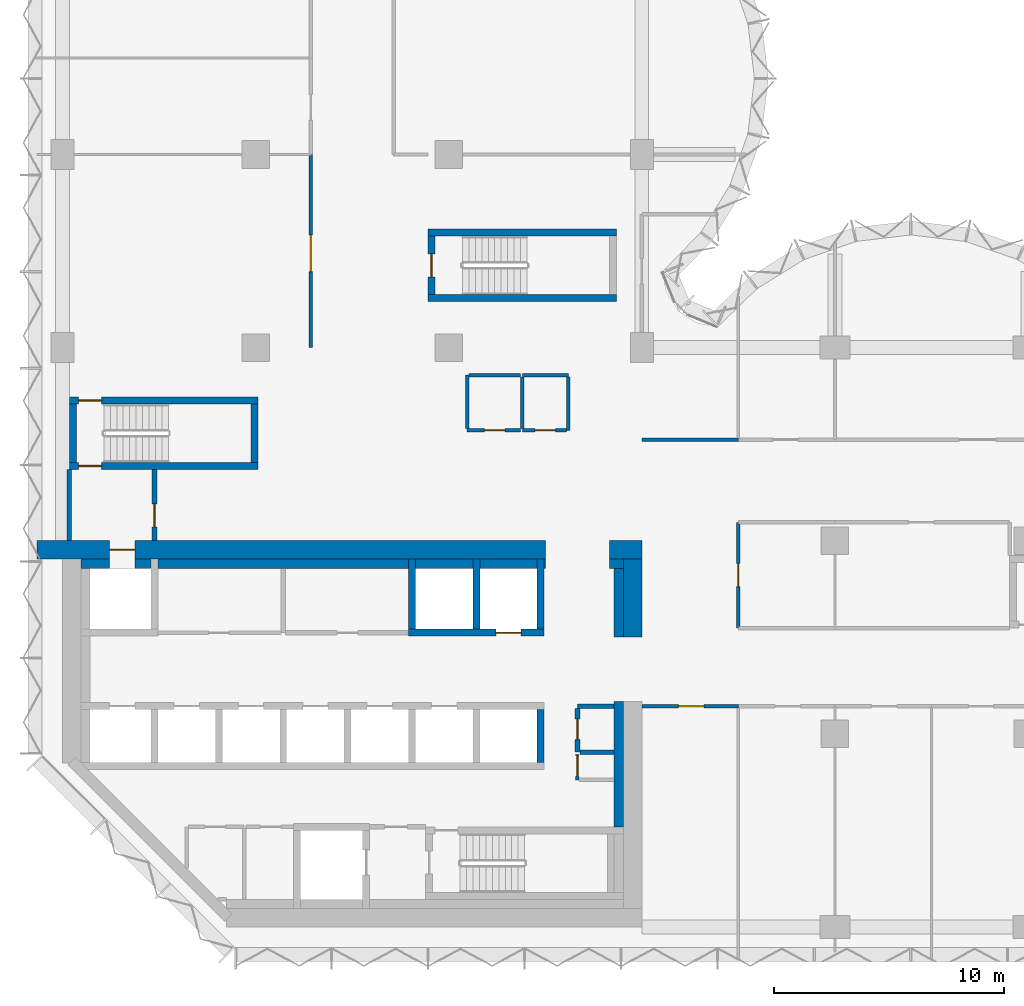
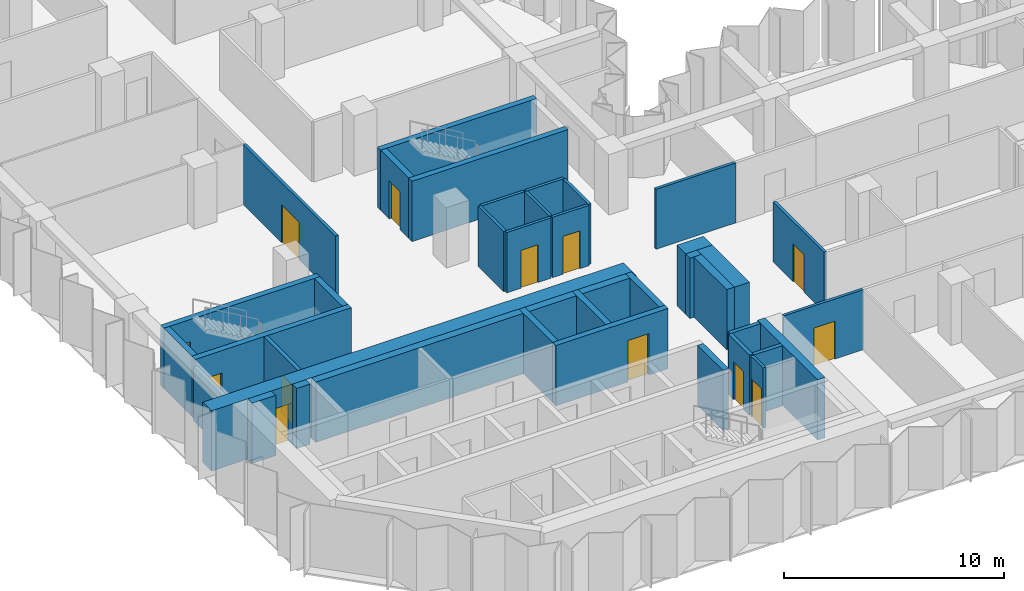
# One storey, part 8 of 13: 41 walls, 13 doors, 13 openings.
"""IFC4 building model written with IfcOpenShell, lengths in metres."""

import ifcopenshell
import ifcopenshell.guid

model = None  # the IFC model being written
_history = None  # IfcOwnerHistory: only IFC2X3 demands one
_inside = {}  # id of a spatial element -> (the spatial element, [elements in it])
_under = {}  # id of a project, library or spatial element -> (it, [spatial elements below it])
_declared = {}  # id of a project -> (the project, [libraries it declares])
_typed = {}  # id of a type object -> (the type object, [elements of that type])
_made_of = {}  # id of a material, layer set ... -> (it, [elements and type objects made of it])


def new_model(schema):
    """Start an empty IFC model of exactly this schema.

    Asked for "IFC4X3", IfcOpenShell would pick the latest addendum, in which some entities
    have other attributes; the version numbers below select the first issue.
    IFC2X3 requires an IfcOwnerHistory on every rooted entity: one is made here for all.
    """
    global model, _history
    if schema == "IFC4X3":
        model = ifcopenshell.file(schema_version=(4, 3, 0, 0))
    else:
        model = ifcopenshell.file(schema=schema)
    _inside.clear()
    _under.clear()
    _declared.clear()
    _typed.clear()
    _made_of.clear()
    _history = None
    if model.schema == "IFC2X3":
        org = make("IfcOrganization", Name="unknown")
        user = make(
            "IfcPersonAndOrganization",
            ThePerson=make("IfcPerson", FamilyName="unknown"),
            TheOrganization=org,
        )
        app = make(
            "IfcApplication",
            ApplicationDeveloper=org,
            Version="unknown",
            ApplicationFullName="unknown",
            ApplicationIdentifier="unknown",
        )
        _history = make(
            "IfcOwnerHistory",
            OwningUser=user,
            OwningApplication=app,
            ChangeAction="ADDED",
            CreationDate=0,
        )
    return model


def make(cls, **values):
    """One entity of the class cls with the attributes given. An attribute that is None is left unset."""
    return model.create_entity(
        cls, **{name: value for name, value in values.items() if value is not None}
    )


def rooted(cls, **values):
    """An entity with a GlobalId (a new one), such as an element, a storey or a relation."""
    return make(cls, GlobalId=ifcopenshell.guid.new(), OwnerHistory=_history, **values)


def si_unit(unit_type, name, prefix=None):
    """IfcSIUnit, for example si_unit("LENGTHUNIT", "METRE", prefix="MILLI")."""
    return make("IfcSIUnit", UnitType=unit_type, Prefix=prefix, Name=name)


def assignment(units):
    """IfcUnitAssignment: the units of a project."""
    return None if units is None else make("IfcUnitAssignment", Units=units)


def point(xyz):
    """IfcCartesianPoint."""
    return None if xyz is None else make("IfcCartesianPoint", Coordinates=xyz)


def direction(xyz):
    """IfcDirection."""
    return None if xyz is None else make("IfcDirection", DirectionRatios=xyz)


def frame(location, z_axis=None, x_axis=None):
    """IfcAxis2Placement3D, a coordinate frame: its origin and axes. An axis left out is left unset."""
    return make(
        "IfcAxis2Placement3D",
        Location=point(location),
        Axis=direction(z_axis),
        RefDirection=direction(x_axis),
    )


def frame_2d(location, x_axis=None):
    """IfcAxis2Placement2D, a coordinate frame in the plane: its origin and x axis."""
    return make(
        "IfcAxis2Placement2D", Location=point(location), RefDirection=direction(x_axis)
    )


def origin():
    """The frame at (0, 0, 0) with its axes left unset."""
    return frame((0.0, 0.0, 0.0))


def place(relative_to, where):
    """IfcLocalPlacement: puts the frame where relative to a parent placement (None: the world)."""
    return make(
        "IfcLocalPlacement", PlacementRelTo=relative_to, RelativePlacement=where
    )


def context(
    kind, dimensions, precision=None, world=None, true_north=None, identifier=None
):
    """IfcGeometricRepresentationContext, for example the 3D "Model" context."""
    return make(
        "IfcGeometricRepresentationContext",
        ContextIdentifier=identifier,
        ContextType=kind,
        CoordinateSpaceDimension=dimensions,
        Precision=precision,
        WorldCoordinateSystem=world,
        TrueNorth=true_north,
    )


def subcontext(parent, identifier, kind, view, scale=None):
    """IfcGeometricRepresentationSubContext, for example "Body" below "Model"."""
    return make(
        "IfcGeometricRepresentationSubContext",
        ContextIdentifier=identifier,
        ContextType=kind,
        ParentContext=parent,
        TargetScale=scale,
        TargetView=view,
    )


def project(units=None, contexts=None):
    """IfcProject with its units and contexts."""
    return rooted(
        "IfcProject",
        Name="project",
        RepresentationContexts=contexts,
        UnitsInContext=assignment(units),
    )


def spatial(cls, under=None, at=None, **own):
    """A site, building, storey or space (cls), placed at a placement, below another one or the project."""
    s = rooted(cls, ObjectPlacement=at, **own)
    if under is not None:
        _under.setdefault(under.id(), (under, []))[1].append(s)
    return s


def profile(cls, at=None, kind="AREA", **sizes):
    """A parametric profile (cls). Its sizes go by their IFC names, for example OverallWidth=200.0."""
    return make(cls, ProfileType=kind, Position=at, **sizes)


def rectangle(**sizes):
    """IfcRectangleProfileDef."""
    return profile("IfcRectangleProfileDef", **sizes)


def extrude(swept, where, along, depth):
    """IfcExtrudedAreaSolid: the profile swept, set in the frame where, extruded along a direction by depth."""
    return make(
        "IfcExtrudedAreaSolid",
        SweptArea=swept,
        Position=where,
        ExtrudedDirection=direction(along),
        Depth=depth,
    )


def shape(context_of_items, identifier, shape_type, items):
    """IfcShapeRepresentation: the items that make up one representation, for example the "Body"."""
    return make(
        "IfcShapeRepresentation",
        ContextOfItems=context_of_items,
        RepresentationIdentifier=identifier,
        RepresentationType=shape_type,
        Items=items,
    )


def material(Name=None, Category=None):
    """IfcMaterial."""
    return make("IfcMaterial", Name=Name, Category=Category)


def layer(
    of_material, thickness, ventilated=None, Name=None, Category=None, Priority=None
):
    """IfcMaterialLayer: one layer of a wall or slab, of a material (None: an air gap)."""
    return make(
        "IfcMaterialLayer",
        Material=of_material,
        LayerThickness=thickness,
        IsVentilated=ventilated,
        Name=Name,
        Category=Category,
        Priority=Priority,
    )


def layer_set(layers, Name=None):
    """IfcMaterialLayerSet."""
    return make("IfcMaterialLayerSet", MaterialLayers=layers, LayerSetName=Name)


def made_of(thing, what):
    """Note that an element or type object is made of a material, layer set ...; save() writes the relation."""
    if what is not None:
        _made_of.setdefault(what.id(), (what, []))[1].append(thing)
    return thing


def type_object(cls, material=None, **own):
    """A type object (cls), such as IfcWallType, which elements share."""
    return made_of(rooted(cls, **own), material)


def element(
    cls,
    number,
    at=None,
    inside=None,
    cuts=None,
    type_object=None,
    material=None,
    context=None,
    identifier="Body",
    shape_type=None,
    held_by="IfcProductDefinitionShape",
    body=None,
    shapes=None,
    **own,
):
    """One element of the class cls, such as IfcWall. Its Tag is "e" and its number.

    at: its placement. inside: the storey or other place that contains it. cuts: it is an
    opening in that element (IfcRelVoidsElement). A single representation is given by context,
    identifier, shape_type and body (its items); several are given by shapes. held_by: the class
    of the entity that holds the representations. save() writes the other relations.
    """
    e = rooted(cls, Tag="e%d" % number, ObjectPlacement=at, **own)
    if body is not None:
        shapes = [shape(context, identifier, shape_type, body)]
    if shapes is not None:
        e.Representation = make(held_by, Representations=shapes)
    if inside is not None:
        _inside.setdefault(inside.id(), (inside, []))[1].append(e)
    if cuts is not None:
        rooted(
            "IfcRelVoidsElement", RelatingBuildingElement=cuts, RelatedOpeningElement=e
        )
    if type_object is not None:
        _typed.setdefault(type_object.id(), (type_object, []))[1].append(e)
    return made_of(e, material)


def fill(opening, filler):
    """IfcRelFillsElement: the door or window that sits in an opening."""
    return rooted(
        "IfcRelFillsElement",
        RelatingOpeningElement=opening,
        RelatedBuildingElement=filler,
    )


def aggregate(whole, parts):
    """IfcRelAggregates: a whole, such as a stair, and the parts it consists of."""
    return rooted("IfcRelAggregates", RelatingObject=whole, RelatedObjects=parts)


def save(model, path):
    """Write the relations noted so far, then the file.

    IfcRelAggregates (storeys below a building ...), IfcRelContainedInSpatialStructure (elements
    in a storey), IfcRelDefinesByType, IfcRelAssociatesMaterial and IfcRelDeclares: one each for
    every whole, place, type object, material and project.
    """
    for whole, parts in _under.values():
        aggregate(whole, parts)
    for where, things in _inside.values():
        rooted(
            "IfcRelContainedInSpatialStructure",
            RelatedElements=things,
            RelatingStructure=where,
        )
    for kind, things in _typed.values():
        rooted("IfcRelDefinesByType", RelatedObjects=things, RelatingType=kind)
    for what, things in _made_of.values():
        rooted("IfcRelAssociatesMaterial", RelatedObjects=things, RelatingMaterial=what)
    for by, libraries in _declared.values():
        rooted("IfcRelDeclares", RelatingContext=by, RelatedDefinitions=libraries)
    model.write(path)


model = new_model("IFC4")

# Units and contexts
model_context = context("Model", 3, precision=1e-05, world=origin(), true_north=direction((0.0, 1.0)))
body_context = subcontext(model_context, "Body", "Model", "MODEL_VIEW")
ifc_project = project(units=[si_unit("LENGTHUNIT", "METRE"), si_unit("AREAUNIT", "SQUARE_METRE"), si_unit("VOLUMEUNIT", "CUBIC_METRE"), si_unit("PLANEANGLEUNIT", "RADIAN"), si_unit("MASSUNIT", "GRAM", prefix="KILO")], contexts=[model_context])

# Site, building, storey
site_placement = place(None, origin())
site = spatial("IfcSite", under=ifc_project, at=site_placement, CompositionType="ELEMENT")
building_placement = place(site_placement, origin())
building = spatial("IfcBuilding", under=site, at=building_placement, Name="Brevane Broadcast Tower", CompositionType="ELEMENT")
storey_placement = place(building_placement, frame((0.0, 0.0, 124.10009765625)))
storey = spatial("IfcBuildingStorey", under=building, at=storey_placement, Name="L30", CompositionType="ELEMENT", Elevation=124.10009765625)

# Walls
ifc_material_1 = material(Name="Concrete C32/40", Category="concrete")
ifc_layer_1 = layer(ifc_material_1, 0.39990234375)
ifc_layer_set_1 = layer_set([ifc_layer_1], Name="Core chase wall 400 mm")
wall_type_1 = type_object("IfcWallType", Name="Core chase wall 400 mm", PredefinedType="PARTITIONING", material=ifc_layer_set_1)
wall_1_placement = place(storey_placement, frame((24.199951171875, 12.60009765625, 0.0), z_axis=(0.0, 0.0, 1.0), x_axis=(0.0, 1.0, 0.0)))
element("IfcWall", 1, at=wall_1_placement, inside=storey, type_object=wall_type_1, Name="L30 chase wall LE2", PredefinedType="PARTITIONING", context=body_context, shape_type="SweptSolid", body=[
    extrude(rectangle(XDim=3.0, YDim=0.39990234375, at=frame_2d((1.5, 0.0))), origin(), (0.0, 0.0, 1.0), 3.349853515625),
])
wall_2_placement = place(storey_placement, frame((0.800048828125, 15.800048828125, 0.0), z_axis=(0.0, 0.0, 1.0), x_axis=(1.0, 0.0, 0.0)))
element("IfcWall", 2, at=wall_2_placement, inside=storey, type_object=wall_type_1, Name="L30 chase wall LN0", PredefinedType="PARTITIONING", context=body_context, shape_type="SweptSolid", body=[
    extrude(rectangle(XDim=1.25, YDim=0.39990234375, at=frame_2d((0.625, 0.0))), origin(), (0.0, 0.0, 1.0), 3.349853515625),
])
wall_3_placement = place(storey_placement, frame((23.800048828125, 15.800048828125, 0.0), z_axis=(0.0, 0.0, 1.0), x_axis=(1.0, 0.0, 0.0)))
element("IfcWall", 3, at=wall_3_placement, inside=storey, type_object=wall_type_1, Name="L30 chase wall LN2", PredefinedType="PARTITIONING", context=body_context, shape_type="SweptSolid", body=[
    extrude(rectangle(XDim=0.599853515625, YDim=0.39990234375, at=frame_2d((0.2998046875, 0.0))), origin(), (0.0, 0.0, 1.0), 3.349853515625),
])
wall_4_placement = place(storey_placement, frame((3.14990234375, 15.800048828125, 0.0), z_axis=(0.0, 0.0, 1.0), x_axis=(1.0, 0.0, 0.0)))
element("IfcWall", 4, at=wall_4_placement, inside=storey, type_object=wall_type_1, Name="L30 chase wall LN1-1", PredefinedType="PARTITIONING", context=body_context, shape_type="SweptSolid", body=[
    extrude(rectangle(XDim=0.7001953125, YDim=0.39990234375, at=frame_2d((0.35009765625, 0.0))), origin(), (0.0, 0.0, 1.0), 3.349853515625),
])
wall_5_placement = place(storey_placement, frame((4.14990234375, 15.800048828125, 0.0), z_axis=(0.0, 0.0, 1.0), x_axis=(1.0, 0.0, 0.0)))
element("IfcWall", 5, at=wall_5_placement, inside=storey, type_object=wall_type_1, Name="L30 chase wall LN1-2-1", PredefinedType="PARTITIONING", context=body_context, shape_type="SweptSolid", body=[
    extrude(rectangle(XDim=10.900146484375, YDim=0.39990234375, at=frame_2d((5.4501953125, 0.0))), origin(), (0.0, 0.0, 1.0), 3.349853515625),
])
for number, where, z_axis, x_axis, name in (
    (6, (15.35009765625, 15.800048828125, 0.0), (0.0, 0.0, 1.0), (1.0, 0.0, 0.0), "L30 chase wall LN1-2-2-1"),
    (7, (18.14990234375, 15.800048828125, 0.0), (0.0, 0.0, 1.0), (1.0, 0.0, 0.0), "L30 chase wall LN1-2-2-2-1"),
):
    element("IfcWall", number, at=place(storey_placement, frame(where, z_axis=z_axis, x_axis=x_axis)), inside=storey, type_object=wall_type_1, Name=name, PredefinedType="PARTITIONING", context=body_context, shape_type="SweptSolid", body=[
        extrude(rectangle(XDim=2.5, YDim=0.39990234375, at=frame_2d((1.25, 0.0))), origin(), (0.0, 0.0, 1.0), 3.349853515625),
    ])
wall_6_placement = place(storey_placement, frame((20.949951171875, 15.800048828125, 0.0), z_axis=(0.0, 0.0, 1.0), x_axis=(1.0, 0.0, 0.0)))
element("IfcWall", 8, at=wall_6_placement, inside=storey, type_object=wall_type_1, Name="L30 chase wall LN1-2-2-2-2", PredefinedType="PARTITIONING", context=body_context, shape_type="SweptSolid", body=[
    extrude(rectangle(XDim=0.050048828125, YDim=0.39990234375, at=frame_2d((0.02490234375, 0.0))), origin(), (0.0, 0.0, 1.0), 3.349853515625),
])
wall_7_placement = place(storey_placement, frame((24.199951171875, 4.35009765625, 0.0), z_axis=(0.0, 0.0, 1.0), x_axis=(0.0, 1.0, 0.0)))
element("IfcWall", 9, at=wall_7_placement, inside=storey, type_object=wall_type_1, Name="L30 chase wall LE1-2-2", PredefinedType="PARTITIONING", context=body_context, shape_type="SweptSolid", body=[
    extrude(rectangle(XDim=5.449951171875, YDim=0.39990234375, at=frame_2d((2.72509765625, 0.0))), origin(), (0.0, 0.0, 1.0), 3.349853515625),
])
ifc_material_2 = material(Name="Gypsum board on steel studs", Category="steel")
ifc_layer_2 = layer(ifc_material_2, 0.14990234375)
ifc_layer_set_2 = layer_set([ifc_layer_2], Name="Core fire partition 150 mm")
wall_type_2 = type_object("IfcWallType", Name="Core fire partition 150 mm", PredefinedType="PARTITIONING", material=ifc_layer_set_2)
wall_8_placement = place(storey_placement, frame((20.0, 24.0, 0.0), z_axis=(0.0, 0.0, 1.0), x_axis=(1.0, 0.0, 0.0)))
element("IfcWall", 10, at=wall_8_placement, inside=storey, type_object=wall_type_2, Name="L30 partition wall P15", PredefinedType="PARTITIONING", context=body_context, shape_type="SweptSolid", body=[
    extrude(rectangle(XDim=2.0, YDim=0.14990234375, at=frame_2d((1.0, 0.0))), origin(), (0.0, 0.0, 1.0), 3.349853515625),
])
wall_9_placement = place(storey_placement, frame((22.0, 23.925048828125, 0.0), z_axis=(0.0, 0.0, 1.0), x_axis=(0.0, -1.0, 0.0)))
element("IfcWall", 11, at=wall_9_placement, inside=storey, type_object=wall_type_2, Name="L30 partition wall P16", PredefinedType="PARTITIONING", context=body_context, shape_type="SweptSolid", body=[
    extrude(rectangle(XDim=2.324951171875, YDim=0.14990234375, at=frame_2d((1.16259765625, 0.0))), origin(), (0.0, 0.0, 1.0), 3.349853515625),
])

# Wall, opening, door
wall_10_placement = place(storey_placement, frame((21.925048828125, 21.60009765625, 0.0), z_axis=(0.0, 0.0, 1.0), x_axis=(-1.0, 0.0, 0.0)))
wall_10 = element("IfcWall", 12, at=wall_10_placement, inside=storey, type_object=wall_type_2, Name="L30 partition wall P17", PredefinedType="PARTITIONING", context=body_context, shape_type="SweptSolid", body=[
    extrude(rectangle(XDim=1.925048828125, YDim=0.14990234375, at=frame_2d((0.96240234375, 0.0))), origin(), (0.0, 0.0, 1.0), 3.349853515625),
])
opening_1_placement = place(wall_10_placement, frame((0.47509765625, 0.0, 0.0)))
opening_1 = element("IfcOpeningElement", 13, at=opening_1_placement, cuts=wall_10, Name="Opening L30-K24", PredefinedType="OPENING", context=body_context, shape_type="SweptSolid", body=[
    extrude(rectangle(XDim=0.89990234375, YDim=2.10009765625, at=frame_2d((0.449951171875, 1.050048828125))), frame((0.0, 0.0849609375, 0.0), z_axis=(0.0, -1.0, 0.0), x_axis=(1.0, 0.0, 0.0)), (0.0, 0.0, 1.0), 0.169921875),
])
ifc_material_3 = material(Name="Timber", Category="wood")
door_type_1 = type_object("IfcDoorType", Name="Toilet door 900 x 2100", OperationType="SINGLE_SWING_LEFT", PredefinedType="DOOR", material=ifc_material_3)
door_1_placement = place(opening_1_placement, origin())
door_1 = element("IfcDoor", 14, at=door_1_placement, inside=storey, type_object=door_type_1, Name="Door L30-K24", OperationType="SINGLE_SWING_LEFT", OverallHeight=2.10009765625, OverallWidth=0.89990234375, PredefinedType="DOOR", context=body_context, shape_type="SweptSolid", body=[
    extrude(rectangle(XDim=0.89990234375, YDim=2.10009765625, at=frame_2d((0.449951171875, 1.050048828125))), frame((0.0, 0.02490234375, 0.0), z_axis=(0.0, -1.0, 0.0), x_axis=(1.0, 0.0, 0.0)), (0.0, 0.0, 1.0), 0.050048828125),
])
fill(opening_1, door_1)

# Wall
wall_11_placement = place(storey_placement, frame((20.0, 21.675048828125, 0.0), z_axis=(0.0, 0.0, 1.0), x_axis=(0.0, 1.0, 0.0)))
element("IfcWall", 15, at=wall_11_placement, inside=storey, type_object=wall_type_2, Name="L30 partition wall P18", PredefinedType="PARTITIONING", context=body_context, shape_type="SweptSolid", body=[
    extrude(rectangle(XDim=2.25, YDim=0.14990234375, at=frame_2d((1.125, 0.0))), origin(), (0.0, 0.0, 1.0), 3.349853515625),
])

# Wall, opening, door
wall_12_placement = place(storey_placement, frame((19.925048828125, 21.60009765625, 0.0), z_axis=(0.0, 0.0, 1.0), x_axis=(-1.0, 0.0, 0.0)))
wall_12 = element("IfcWall", 16, at=wall_12_placement, inside=storey, type_object=wall_type_2, Name="L30 partition wall P19", PredefinedType="PARTITIONING", context=body_context, shape_type="SweptSolid", body=[
    extrude(rectangle(XDim=2.324951171875, YDim=0.14990234375, at=frame_2d((1.16259765625, 0.0))), origin(), (0.0, 0.0, 1.0), 3.349853515625),
])
opening_2_placement = place(wall_12_placement, frame((0.675048828125, 0.0, 0.0)))
opening_2 = element("IfcOpeningElement", 17, at=opening_2_placement, cuts=wall_12, Name="Opening L30-K25", PredefinedType="OPENING", context=body_context, shape_type="SweptSolid", body=[
    extrude(rectangle(XDim=0.89990234375, YDim=2.10009765625, at=frame_2d((0.449951171875, 1.050048828125))), frame((0.0, 0.0849609375, 0.0), z_axis=(0.0, -1.0, 0.0), x_axis=(1.0, 0.0, 0.0)), (0.0, 0.0, 1.0), 0.169921875),
])
ifc_material_4 = material(Name="Steel", Category="steel")
door_type_2 = type_object("IfcDoorType", Name="Service room door 900 x 2100", OperationType="SINGLE_SWING_LEFT", PredefinedType="DOOR", material=ifc_material_4)
door_2_placement = place(opening_2_placement, origin())
door_2 = element("IfcDoor", 18, at=door_2_placement, inside=storey, type_object=door_type_2, Name="Door L30-K25", OperationType="SINGLE_SWING_RIGHT", OverallHeight=2.10009765625, OverallWidth=0.89990234375, PredefinedType="DOOR", context=body_context, shape_type="SweptSolid", body=[
    extrude(rectangle(XDim=0.89990234375, YDim=2.10009765625, at=frame_2d((0.449951171875, 1.050048828125))), frame((0.0, 0.02490234375, 0.0), z_axis=(0.0, -1.0, 0.0), x_axis=(1.0, 0.0, 0.0)), (0.0, 0.0, 1.0), 0.050048828125),
])
fill(opening_2, door_2)

# Walls
wall_13_placement = place(storey_placement, frame((17.60009765625, 21.675048828125, 0.0), z_axis=(0.0, 0.0, 1.0), x_axis=(0.0, 1.0, 0.0)))
element("IfcWall", 19, at=wall_13_placement, inside=storey, type_object=wall_type_2, Name="L30 partition wall P20", PredefinedType="PARTITIONING", context=body_context, shape_type="SweptSolid", body=[
    extrude(rectangle(XDim=2.324951171875, YDim=0.14990234375, at=frame_2d((1.16259765625, 0.0))), origin(), (0.0, 0.0, 1.0), 3.349853515625),
])
wall_14_placement = place(storey_placement, frame((17.675048828125, 24.0, 0.0), z_axis=(0.0, 0.0, 1.0), x_axis=(1.0, 0.0, 0.0)))
element("IfcWall", 20, at=wall_14_placement, inside=storey, type_object=wall_type_2, Name="L30 partition wall P21", PredefinedType="PARTITIONING", context=body_context, shape_type="SweptSolid", body=[
    extrude(rectangle(XDim=2.25, YDim=0.14990234375, at=frame_2d((1.125, 0.0))), origin(), (0.0, 0.0, 1.0), 3.349853515625),
])

# Wall, opening, door
wall_15_placement = place(storey_placement, frame((22.39990234375, 7.5, 0.0), z_axis=(0.0, 0.0, 1.0), x_axis=(0.0, -1.0, 0.0)))
wall_15 = element("IfcWall", 21, at=wall_15_placement, inside=storey, type_object=wall_type_2, Name="L30 partition wall P22", PredefinedType="PARTITIONING", context=body_context, shape_type="SweptSolid", body=[
    extrude(rectangle(XDim=1.10009765625, YDim=0.14990234375, at=frame_2d((0.550048828125, 0.0))), origin(), (0.0, 0.0, 1.0), 3.349853515625),
])
opening_3_placement = place(wall_15_placement, frame((0.050048828125, 0.0, 0.0)))
opening_3 = element("IfcOpeningElement", 22, at=opening_3_placement, cuts=wall_15, Name="Opening L30-K19", PredefinedType="OPENING", context=body_context, shape_type="SweptSolid", body=[
    extrude(rectangle(XDim=0.89990234375, YDim=2.10009765625, at=frame_2d((0.449951171875, 1.050048828125))), frame((0.0, 0.0849609375, 0.0), z_axis=(0.0, -1.0, 0.0), x_axis=(1.0, 0.0, 0.0)), (0.0, 0.0, 1.0), 0.169921875),
])
door_3_placement = place(opening_3_placement, origin())
door_3 = element("IfcDoor", 23, at=door_3_placement, inside=storey, type_object=door_type_2, Name="Door L30-K19", OperationType="SINGLE_SWING_RIGHT", OverallHeight=2.10009765625, OverallWidth=0.89990234375, PredefinedType="DOOR", context=body_context, shape_type="SweptSolid", body=[
    extrude(rectangle(XDim=0.89990234375, YDim=2.10009765625, at=frame_2d((0.449951171875, 1.050048828125))), frame((0.0, 0.02490234375, 0.0), z_axis=(0.0, -1.0, 0.0), x_axis=(1.0, 0.0, 0.0)), (0.0, 0.0, 1.0), 0.050048828125),
])
fill(opening_3, door_3)

# Wall
ifc_layer_3 = layer(ifc_material_2, 0.199951171875)
ifc_layer_set_3 = layer_set([ifc_layer_3], Name="Core fire partition 200 mm")
wall_type_3 = type_object("IfcWallType", Name="Core fire partition 200 mm", PredefinedType="PARTITIONING", material=ifc_layer_set_3)
wall_16_placement = place(storey_placement, frame((0.300048828125, 16.81201171875, 0.0), z_axis=(0.0, 0.0, 1.0), x_axis=(0.0, 1.0, 0.0)))
element("IfcWall", 24, at=wall_16_placement, inside=storey, type_object=wall_type_3, Name="L30 partition wall P01", PredefinedType="PARTITIONING", context=body_context, shape_type="SweptSolid", body=[
    extrude(rectangle(XDim=3.075927734375, YDim=0.199951171875, at=frame_2d((1.5380859375, 0.0))), origin(), (0.0, 0.0, 1.0), 2.97998046875),
])

# Wall, opening, door
wall_17_placement = place(storey_placement, frame((4.0, 19.887939453125, 0.0), z_axis=(0.0, 0.0, 1.0), x_axis=(0.0, -1.0, 0.0)))
wall_17 = element("IfcWall", 25, at=wall_17_placement, inside=storey, type_object=wall_type_3, Name="L30 partition wall P02", PredefinedType="PARTITIONING", context=body_context, shape_type="SweptSolid", body=[
    extrude(rectangle(XDim=3.075927734375, YDim=0.199951171875, at=frame_2d((1.5380859375, 0.0))), origin(), (0.0, 0.0, 1.0), 3.349853515625),
])
opening_4_placement = place(wall_17_placement, frame((1.488037109375, 0.0, 0.0)))
opening_4 = element("IfcOpeningElement", 26, at=opening_4_placement, cuts=wall_17, Name="Opening L30-K23", PredefinedType="OPENING", context=body_context, shape_type="SweptSolid", body=[
    extrude(rectangle(XDim=1.0, YDim=2.10009765625, at=frame_2d((0.5, 1.050048828125))), frame((0.0, 0.10986328125, 0.0), z_axis=(0.0, -1.0, 0.0), x_axis=(1.0, 0.0, 0.0)), (0.0, 0.0, 1.0), 0.219970703125),
])
door_type_3 = type_object("IfcDoorType", Name="Stair door 1000 x 2100", OperationType="SINGLE_SWING_LEFT", PredefinedType="DOOR", material=ifc_material_4)
door_4_placement = place(opening_4_placement, origin())
door_4 = element("IfcDoor", 27, at=door_4_placement, inside=storey, type_object=door_type_3, Name="Door L30-K23", OperationType="SINGLE_SWING_RIGHT", OverallHeight=2.10009765625, OverallWidth=1.0, PredefinedType="DOOR", context=body_context, shape_type="SweptSolid", body=[
    extrude(rectangle(XDim=1.0, YDim=2.10009765625, at=frame_2d((0.5, 1.050048828125))), frame((0.0, 0.02490234375, 0.0), z_axis=(0.0, -1.0, 0.0), x_axis=(1.0, 0.0, 0.0)), (0.0, 0.0, 1.0), 0.050048828125),
])
fill(opening_4, door_4)

# Wall
wall_18_placement = place(storey_placement, frame((23.988037109375, 9.60009765625, 0.0), z_axis=(0.0, 0.0, 1.0), x_axis=(-1.0, 0.0, 0.0)))
element("IfcWall", 28, at=wall_18_placement, inside=storey, type_object=wall_type_3, Name="L30 partition wall P06", PredefinedType="PARTITIONING", context=body_context, shape_type="SweptSolid", body=[
    extrude(rectangle(XDim=1.588134765625, YDim=0.199951171875, at=frame_2d((0.7939453125, 0.0))), origin(), (0.0, 0.0, 1.0), 3.349853515625),
])

# Wall, opening, door
wall_19_placement = place(storey_placement, frame((22.39990234375, 9.5, 0.0), z_axis=(0.0, 0.0, 1.0), x_axis=(0.0, -1.0, 0.0)))
wall_19 = element("IfcWall", 29, at=wall_19_placement, inside=storey, type_object=wall_type_3, Name="L30 partition wall P07", PredefinedType="PARTITIONING", context=body_context, shape_type="SweptSolid", body=[
    extrude(rectangle(XDim=1.89990234375, YDim=0.199951171875, at=frame_2d((0.949951171875, 0.0))), origin(), (0.0, 0.0, 1.0), 3.349853515625),
])
opening_5_placement = place(wall_19_placement, frame((0.449951171875, 0.0, 0.0)))
opening_5 = element("IfcOpeningElement", 30, at=opening_5_placement, cuts=wall_19, Name="Opening L30-K20", PredefinedType="OPENING", context=body_context, shape_type="SweptSolid", body=[
    extrude(rectangle(XDim=0.89990234375, YDim=2.10009765625, at=frame_2d((0.449951171875, 1.050048828125))), frame((0.0, 0.10986328125, 0.0), z_axis=(0.0, -1.0, 0.0), x_axis=(1.0, 0.0, 0.0)), (0.0, 0.0, 1.0), 0.219970703125),
])
door_5_placement = place(opening_5_placement, origin())
door_5 = element("IfcDoor", 31, at=door_5_placement, inside=storey, type_object=door_type_2, Name="Door L30-K20", OperationType="SINGLE_SWING_LEFT", OverallHeight=2.10009765625, OverallWidth=0.89990234375, PredefinedType="DOOR", context=body_context, shape_type="SweptSolid", body=[
    extrude(rectangle(XDim=0.89990234375, YDim=2.10009765625, at=frame_2d((0.449951171875, 1.050048828125))), frame((0.0, 0.02490234375, 0.0), z_axis=(0.0, -1.0, 0.0), x_axis=(1.0, 0.0, 0.0)), (0.0, 0.0, 1.0), 0.050048828125),
])
fill(opening_5, door_5)

# Walls
wall_20_placement = place(storey_placement, frame((22.5, 7.60009765625, 0.0), z_axis=(0.0, 0.0, 1.0), x_axis=(1.0, 0.0, 0.0)))
element("IfcWall", 32, at=wall_20_placement, inside=storey, type_object=wall_type_3, Name="L30 partition wall P08", PredefinedType="PARTITIONING", context=body_context, shape_type="SweptSolid", body=[
    extrude(rectangle(XDim=1.488037109375, YDim=0.199951171875, at=frame_2d((0.744140625, 0.0))), origin(), (0.0, 0.0, 1.0), 3.349853515625),
])
ifc_material_5 = material(Name="Concrete C60/75", Category="concrete")
ifc_layer_4 = layer(ifc_material_5, 0.300048828125)
ifc_layer_set_4 = layer_set([ifc_layer_4], Name="Core wall 300 mm C60/75")
wall_type_4 = type_object("IfcWallType", Name="Core wall 300 mm C60/75", PredefinedType="SHEAR", material=ifc_layer_set_4)
wall_21_placement = place(storey_placement, frame((20.800048828125, 7.14990234375, 0.0), z_axis=(0.0, 0.0, 1.0), x_axis=(0.0, 1.0, 0.0)))
element("IfcWall", 33, at=wall_21_placement, inside=storey, type_object=wall_type_4, Name="L30 shaft wall SH-S-P208", PredefinedType="SHEAR", context=body_context, shape_type="SweptSolid", body=[
    extrude(rectangle(XDim=2.300048828125, YDim=0.300048828125, at=frame_2d((1.14990234375, 0.0))), origin(), (0.0, 0.0, 1.0), 3.349853515625),
])

# Wall, opening, door
wall_22_placement = place(storey_placement, frame((15.050048828125, 12.800048828125, 0.0), z_axis=(0.0, 0.0, 1.0), x_axis=(1.0, 0.0, 0.0)))
wall_22 = element("IfcWall", 34, at=wall_22_placement, inside=storey, type_object=wall_type_4, Name="L30 shaft wall SH-N152-front", PredefinedType="SHEAR", context=body_context, shape_type="SweptSolid", body=[
    extrude(rectangle(XDim=5.89990234375, YDim=0.300048828125, at=frame_2d((2.949951171875, 0.0))), origin(), (0.0, 0.0, 1.0), 3.349853515625),
])
opening_6_placement = place(wall_22_placement, frame((3.800048828125, 0.0, 0.0)))
opening_6 = element("IfcOpeningElement", 35, at=opening_6_placement, cuts=wall_22, Name="Opening LD", PredefinedType="OPENING", context=body_context, shape_type="SweptSolid", body=[
    extrude(rectangle(XDim=1.10009765625, YDim=2.300048828125, at=frame_2d((0.550048828125, 1.14990234375))), frame((0.0, 0.159912109375, 0.0), z_axis=(0.0, -1.0, 0.0), x_axis=(1.0, 0.0, 0.0)), (0.0, 0.0, 1.0), 0.320068359375),
])
ifc_material_6 = material(Name="Stainless steel", Category="steel")
door_type_4 = type_object("IfcDoorType", Name="Lift landing door", OperationType="SLIDING_TO_LEFT", PredefinedType="DOOR", material=ifc_material_6)
door_6_placement = place(opening_6_placement, origin())
door_6 = element("IfcDoor", 36, at=door_6_placement, inside=storey, type_object=door_type_4, Name="Landing door SL1 L30", OperationType="SLIDING_TO_LEFT", OverallHeight=2.300048828125, OverallWidth=1.10009765625, PredefinedType="DOOR", context=body_context, shape_type="SweptSolid", body=[
    extrude(rectangle(XDim=1.10009765625, YDim=2.300048828125, at=frame_2d((0.550048828125, 1.14990234375))), frame((0.0, 0.02490234375, 0.0), z_axis=(0.0, -1.0, 0.0), x_axis=(1.0, 0.0, 0.0)), (0.0, 0.0, 1.0), 0.050048828125),
])
fill(opening_6, door_6)

# Walls
for number, where, z_axis, x_axis, name in (
    (37, (15.199951171875, 12.949951171875, 0.0), (0.0, 0.0, 1.0), (0.0, 1.0, 0.0), "L30 shaft wall SH-N-P152"),
    (38, (18.0, 12.949951171875, 0.0), (0.0, 0.0, 1.0), (0.0, 1.0, 0.0), "L30 shaft wall SH-N-P180"),
    (39, (20.800048828125, 12.949951171875, 0.0), (0.0, 0.0, 1.0), (0.0, 1.0, 0.0), "L30 shaft wall SH-N-P208"),
):
    element("IfcWall", number, at=place(storey_placement, frame(where, z_axis=z_axis, x_axis=x_axis)), inside=storey, type_object=wall_type_4, Name=name, PredefinedType="SHEAR", context=body_context, shape_type="SweptSolid", body=[
        extrude(rectangle(XDim=3.050048828125, YDim=0.300048828125, at=frame_2d((1.52490234375, 0.0))), origin(), (0.0, 0.0, 1.0), 3.349853515625),
    ])

# Wall, opening, door
wall_23_placement = place(storey_placement, frame((8.5, 20.050048828125, 0.0), z_axis=(0.0, 0.0, 1.0), x_axis=(-1.0, 0.0, 0.0)))
wall_23 = element("IfcWall", 40, at=wall_23_placement, inside=storey, type_object=wall_type_4, Name="L30 stair wall ST-1-S", PredefinedType="SHEAR", context=body_context, shape_type="SweptSolid", body=[
    extrude(rectangle(XDim=8.199951171875, YDim=0.300048828125, at=frame_2d((4.10009765625, 0.0))), origin(), (0.0, 0.0, 1.0), 3.349853515625),
])
opening_7_placement = place(wall_23_placement, frame((6.800048828125, 0.0, 0.0)))
opening_7 = element("IfcOpeningElement", 41, at=opening_7_placement, cuts=wall_23, Name="Opening L30-K10", PredefinedType="OPENING", context=body_context, shape_type="SweptSolid", body=[
    extrude(rectangle(XDim=1.0, YDim=2.10009765625, at=frame_2d((0.5, 1.050048828125))), frame((0.0, 0.159912109375, 0.0), z_axis=(0.0, -1.0, 0.0), x_axis=(1.0, 0.0, 0.0)), (0.0, 0.0, 1.0), 0.320068359375),
])
door_7_placement = place(opening_7_placement, origin())
door_7 = element("IfcDoor", 42, at=door_7_placement, inside=storey, type_object=door_type_3, Name="Door L30-K10", OperationType="SINGLE_SWING_LEFT", OverallHeight=2.10009765625, OverallWidth=1.0, PredefinedType="DOOR", context=body_context, shape_type="SweptSolid", body=[
    extrude(rectangle(XDim=1.0, YDim=2.10009765625, at=frame_2d((0.5, 1.050048828125))), frame((0.0, 0.02490234375, 0.0), z_axis=(0.0, -1.0, 0.0), x_axis=(1.0, 0.0, 0.0)), (0.0, 0.0, 1.0), 0.050048828125),
])
fill(opening_7, door_7)

wall_24_placement = place(storey_placement, frame((0.300048828125, 22.89990234375, 0.0), z_axis=(0.0, 0.0, 1.0), x_axis=(1.0, 0.0, 0.0)))
wall_24 = element("IfcWall", 43, at=wall_24_placement, inside=storey, type_object=wall_type_4, Name="L30 stair wall ST-1-N", PredefinedType="SHEAR", context=body_context, shape_type="SweptSolid", body=[
    extrude(rectangle(XDim=8.199951171875, YDim=0.300048828125, at=frame_2d((4.10009765625, 0.0))), origin(), (0.0, 0.0, 1.0), 3.349853515625),
])
opening_8_placement = place(wall_24_placement, frame((0.39990234375, 0.0, 0.0)))
opening_8 = element("IfcOpeningElement", 44, at=opening_8_placement, cuts=wall_24, Name="Opening L30-K11", PredefinedType="OPENING", context=body_context, shape_type="SweptSolid", body=[
    extrude(rectangle(XDim=1.0, YDim=2.10009765625, at=frame_2d((0.5, 1.050048828125))), frame((0.0, 0.159912109375, 0.0), z_axis=(0.0, -1.0, 0.0), x_axis=(1.0, 0.0, 0.0)), (0.0, 0.0, 1.0), 0.320068359375),
])
door_8_placement = place(opening_8_placement, origin())
door_8 = element("IfcDoor", 45, at=door_8_placement, inside=storey, type_object=door_type_3, Name="Door L30-K11", OperationType="SINGLE_SWING_RIGHT", OverallHeight=2.10009765625, OverallWidth=1.0, PredefinedType="DOOR", context=body_context, shape_type="SweptSolid", body=[
    extrude(rectangle(XDim=1.0, YDim=2.10009765625, at=frame_2d((0.5, 1.050048828125))), frame((0.0, 0.02490234375, 0.0), z_axis=(0.0, -1.0, 0.0), x_axis=(1.0, 0.0, 0.0)), (0.0, 0.0, 1.0), 0.050048828125),
])
fill(opening_8, door_8)

# Walls
for number, where, z_axis, x_axis, name in (
    (46, (0.449951171875, 20.199951171875, 0.0), (0.0, 0.0, 1.0), (0.0, 1.0, 0.0), "L30 stair wall ST-1-W"),
    (47, (8.35009765625, 20.199951171875, 0.0), (0.0, 0.0, 1.0), (0.0, 1.0, 0.0), "L30 stair wall ST-1-E"),
):
    element("IfcWall", number, at=place(storey_placement, frame(where, z_axis=z_axis, x_axis=x_axis)), inside=storey, type_object=wall_type_4, Name=name, PredefinedType="SHEAR", context=body_context, shape_type="SweptSolid", body=[
        extrude(rectangle(XDim=2.550048828125, YDim=0.300048828125, at=frame_2d((1.27490234375, 0.0))), origin(), (0.0, 0.0, 1.0), 3.349853515625),
    ])
for number, where, z_axis, x_axis, name in (
    (48, (15.89990234375, 27.35009765625, 0.0), (0.0, 0.0, 1.0), (1.0, 0.0, 0.0), "L30 stair wall ST-3-S"),
    (49, (15.89990234375, 30.199951171875, 0.0), (0.0, 0.0, 1.0), (1.0, 0.0, 0.0), "L30 stair wall ST-3-N"),
):
    element("IfcWall", number, at=place(storey_placement, frame(where, z_axis=z_axis, x_axis=x_axis)), inside=storey, type_object=wall_type_4, Name=name, PredefinedType="SHEAR", context=body_context, shape_type="SweptSolid", body=[
        extrude(rectangle(XDim=8.2001953125, YDim=0.300048828125, at=frame_2d((4.10009765625, 0.0))), origin(), (0.0, 0.0, 1.0), 3.349853515625),
    ])

# Wall, opening, door
wall_25_placement = place(storey_placement, frame((16.050048828125, 27.5, 0.0), z_axis=(0.0, 0.0, 1.0), x_axis=(0.0, 1.0, 0.0)))
wall_25 = element("IfcWall", 50, at=wall_25_placement, inside=storey, type_object=wall_type_4, Name="L30 stair wall ST-3-W", PredefinedType="SHEAR", context=body_context, shape_type="SweptSolid", body=[
    extrude(rectangle(XDim=2.550048828125, YDim=0.300048828125, at=frame_2d((1.27490234375, 0.0))), origin(), (0.0, 0.0, 1.0), 3.349853515625),
])
opening_9_placement = place(wall_25_placement, frame((0.77490234375, 0.0, 0.0)))
opening_9 = element("IfcOpeningElement", 51, at=opening_9_placement, cuts=wall_25, Name="Opening L30-K14", PredefinedType="OPENING", context=body_context, shape_type="SweptSolid", body=[
    extrude(rectangle(XDim=1.0, YDim=2.10009765625, at=frame_2d((0.5, 1.050048828125))), frame((0.0, 0.159912109375, 0.0), z_axis=(0.0, -1.0, 0.0), x_axis=(1.0, 0.0, 0.0)), (0.0, 0.0, 1.0), 0.320068359375),
])
door_9_placement = place(opening_9_placement, origin())
door_9 = element("IfcDoor", 52, at=door_9_placement, inside=storey, type_object=door_type_3, Name="Door L30-K14", OperationType="SINGLE_SWING_LEFT", OverallHeight=2.10009765625, OverallWidth=1.0, PredefinedType="DOOR", context=body_context, shape_type="SweptSolid", body=[
    extrude(rectangle(XDim=1.0, YDim=2.10009765625, at=frame_2d((0.5, 1.050048828125))), frame((0.0, 0.02490234375, 0.0), z_axis=(0.0, -1.0, 0.0), x_axis=(1.0, 0.0, 0.0)), (0.0, 0.0, 1.0), 0.050048828125),
])
fill(opening_9, door_9)

ifc_layer_5 = layer(ifc_material_5, 0.800048828125)
ifc_layer_set_5 = layer_set([ifc_layer_5], Name="Core wall 800 mm C60/75")
wall_type_5 = type_object("IfcWallType", Name="Core wall 800 mm C60/75", PredefinedType="SHEAR", material=ifc_layer_set_5)
wall_26_placement = place(storey_placement, frame((-1.10009765625, 16.39990234375, 0.0), z_axis=(0.0, 0.0, 1.0), x_axis=(1.0, 0.0, 0.0)))
wall_26 = element("IfcWall", 53, at=wall_26_placement, inside=storey, type_object=wall_type_5, Name="L30 outer wall WN1", PredefinedType="SHEAR", context=body_context, shape_type="SweptSolid", body=[
    extrude(rectangle(XDim=22.10009765625, YDim=0.800048828125, at=frame_2d((11.050048828125, 0.0))), origin(), (0.0, 0.0, 1.0), 3.349853515625),
])
opening_10_placement = place(wall_26_placement, frame((3.14990234375, 0.0, 0.0)))
opening_10 = element("IfcOpeningElement", 54, at=opening_10_placement, cuts=wall_26, Name="Opening LD", PredefinedType="OPENING", context=body_context, shape_type="SweptSolid", body=[
    extrude(rectangle(XDim=1.10009765625, YDim=2.300048828125, at=frame_2d((0.550048828125, 1.14990234375))), frame((0.0, 0.409912109375, 0.0), z_axis=(0.0, -1.0, 0.0), x_axis=(1.0, 0.0, 0.0)), (0.0, 0.0, 1.0), 0.820068359375),
])
door_10_placement = place(opening_10_placement, origin())
door_10 = element("IfcDoor", 55, at=door_10_placement, inside=storey, type_object=door_type_4, Name="Landing door FF1 L30", OperationType="SLIDING_TO_LEFT", OverallHeight=2.300048828125, OverallWidth=1.10009765625, PredefinedType="DOOR", context=body_context, shape_type="SweptSolid", body=[
    extrude(rectangle(XDim=1.10009765625, YDim=2.300048828125, at=frame_2d((0.550048828125, 1.14990234375))), frame((0.0, 0.02490234375, 0.0), z_axis=(0.0, -1.0, 0.0), x_axis=(1.0, 0.0, 0.0)), (0.0, 0.0, 1.0), 0.050048828125),
])
fill(opening_10, door_10)

# Walls
wall_27_placement = place(storey_placement, frame((23.800048828125, 16.39990234375, 0.0), z_axis=(0.0, 0.0, 1.0), x_axis=(1.0, 0.0, 0.0)))
element("IfcWall", 56, at=wall_27_placement, inside=storey, type_object=wall_type_5, Name="L30 outer wall WN2", PredefinedType="SHEAR", context=body_context, shape_type="SweptSolid", body=[
    extrude(rectangle(XDim=1.39990234375, YDim=0.800048828125, at=frame_2d((0.699951171875, 0.0))), origin(), (0.0, 0.0, 1.0), 3.349853515625),
])
wall_28_placement = place(storey_placement, frame((24.800048828125, 12.60009765625, 0.0), z_axis=(0.0, 0.0, 1.0), x_axis=(0.0, 1.0, 0.0)))
element("IfcWall", 57, at=wall_28_placement, inside=storey, type_object=wall_type_5, Name="L30 outer wall WE2", PredefinedType="SHEAR", context=body_context, shape_type="SweptSolid", body=[
    extrude(rectangle(XDim=3.39990234375, YDim=0.800048828125, at=frame_2d((1.699951171875, 0.0))), origin(), (0.0, 0.0, 1.0), 3.349853515625),
])
ifc_material_7 = material(Name="Gypsum board partition")
ifc_layer_6 = layer(ifc_material_7, 0.14990234375)
ifc_layer_set_6 = layer_set([ifc_layer_6], Name="PARTITION 150 EI 60")
wall_type_6 = type_object("IfcWallType", Name="PARTITION 150 EI 60", PredefinedType="PARTITIONING", material=ifc_layer_set_6)
wall_29_placement = place(storey_placement, frame((25.199951171875, 21.199951171875, 0.0), z_axis=(0.0, 0.0, 1.0), x_axis=(1.0, 0.0, 0.0)))
element("IfcWall", 58, at=wall_29_placement, inside=storey, type_object=wall_type_6, Name="Partition G09-001", PredefinedType="PARTITIONING", context=body_context, shape_type="SweptSolid", body=[
    extrude(rectangle(XDim=4.199951171875, YDim=0.14990234375, at=frame_2d((2.10009765625, 0.0))), origin(), (0.0, 0.0, 1.0), 3.329833984375),
])

# Wall, opening, door
wall_30_placement = place(storey_placement, frame((29.39990234375, 17.60009765625, 0.0), z_axis=(0.0, 0.0, 1.0), x_axis=(0.0, -1.0, 0.0)))
wall_30 = element("IfcWall", 59, at=wall_30_placement, inside=storey, type_object=wall_type_6, Name="Partition G09-002", PredefinedType="PARTITIONING", context=body_context, shape_type="SweptSolid", body=[
    extrude(rectangle(XDim=4.60009765625, YDim=0.14990234375, at=frame_2d((2.300048828125, 0.0))), origin(), (0.0, 0.0, 1.0), 3.329833984375),
])
opening_11_placement = place(wall_30_placement, frame((1.800048828125, 0.0, 0.0)))
opening_11 = element("IfcOpeningElement", 60, at=opening_11_placement, cuts=wall_30, Name="Opening D16-003", PredefinedType="OPENING", context=body_context, shape_type="SweptSolid", body=[
    extrude(rectangle(XDim=1.0, YDim=2.10009765625, at=frame_2d((0.5, 1.050048828125))), frame((0.0, 0.0849609375, 0.0), z_axis=(0.0, -1.0, 0.0), x_axis=(1.0, 0.0, 0.0)), (0.0, 0.0, 1.0), 0.169921875),
])
ifc_material_8 = material(Name="Fire-rated timber door leaf", Category="wood")
door_type_5 = type_object("IfcDoorType", Name="DOOR SINGLE 1000 FD30S", OperationType="SINGLE_SWING_LEFT", PredefinedType="DOOR", material=ifc_material_8)
door_11_placement = place(opening_11_placement, origin())
door_11 = element("IfcDoor", 61, at=door_11_placement, inside=storey, type_object=door_type_5, Name="Door D16-003", OperationType="SINGLE_SWING_LEFT", OverallHeight=2.10009765625, OverallWidth=1.0, PredefinedType="DOOR", context=body_context, shape_type="SweptSolid", body=[
    extrude(rectangle(XDim=1.0, YDim=2.10009765625, at=frame_2d((0.5, 1.050048828125))), frame((0.0, 0.02490234375, 0.0), z_axis=(0.0, -1.0, 0.0), x_axis=(1.0, 0.0, 0.0)), (0.0, 0.0, 1.0), 0.050048828125),
])
fill(opening_11, door_11)

wall_31_placement = place(storey_placement, frame((29.39990234375, 9.60009765625, 0.0), z_axis=(0.0, 0.0, 1.0), x_axis=(-1.0, 0.0, 0.0)))
wall_31 = element("IfcWall", 62, at=wall_31_placement, inside=storey, type_object=wall_type_6, Name="Partition G09-003", PredefinedType="PARTITIONING", context=body_context, shape_type="SweptSolid", body=[
    extrude(rectangle(XDim=4.199951171875, YDim=0.14990234375, at=frame_2d((2.10009765625, 0.0))), origin(), (0.0, 0.0, 1.0), 3.329833984375),
])
opening_12_placement = place(wall_31_placement, frame((1.5, 0.0, 0.0)))
opening_12 = element("IfcOpeningElement", 63, at=opening_12_placement, cuts=wall_31, Name="Opening D16-006", PredefinedType="OPENING", context=body_context, shape_type="SweptSolid", body=[
    extrude(rectangle(XDim=1.10009765625, YDim=2.10009765625, at=frame_2d((0.550048828125, 1.050048828125))), frame((0.0, 0.0849609375, 0.0), z_axis=(0.0, -1.0, 0.0), x_axis=(1.0, 0.0, 0.0)), (0.0, 0.0, 1.0), 0.169921875),
])
door_type_6 = type_object("IfcDoorType", Name="DOOR SINGLE 1100 FD30S", OperationType="SINGLE_SWING_LEFT", PredefinedType="DOOR", material=ifc_material_8)
door_12_placement = place(opening_12_placement, origin())
door_12 = element("IfcDoor", 64, at=door_12_placement, inside=storey, type_object=door_type_6, Name="Door D16-006", OperationType="SINGLE_SWING_LEFT", OverallHeight=2.10009765625, OverallWidth=1.10009765625, PredefinedType="DOOR", context=body_context, shape_type="SweptSolid", body=[
    extrude(rectangle(XDim=1.10009765625, YDim=2.10009765625, at=frame_2d((0.550048828125, 1.050048828125))), frame((0.0, 0.02490234375, 0.0), z_axis=(0.0, -1.0, 0.0), x_axis=(1.0, 0.0, 0.0)), (0.0, 0.0, 1.0), 0.050048828125),
])
fill(opening_12, door_12)

wall_32_placement = place(storey_placement, frame((10.800048828125, 25.199951171875, 0.0), z_axis=(0.0, 0.0, 1.0), x_axis=(0.0, 1.0, 0.0)))
wall_32 = element("IfcWall", 65, at=wall_32_placement, inside=storey, type_object=wall_type_6, Name="Partition G09-047", PredefinedType="PARTITIONING", context=body_context, shape_type="SweptSolid", body=[
    extrude(rectangle(XDim=8.400146484375, YDim=0.14990234375, at=frame_2d((4.2001953125, 0.0))), origin(), (0.0, 0.0, 1.0), 3.329833984375),
])
opening_13_placement = place(wall_32_placement, frame((3.300048828125, 0.0, 0.0)))
opening_13 = element("IfcOpeningElement", 66, at=opening_13_placement, cuts=wall_32, Name="Opening D16-017", PredefinedType="OPENING", context=body_context, shape_type="SweptSolid", body=[
    extrude(rectangle(XDim=1.60009765625, YDim=2.10009765625, at=frame_2d((0.800048828125, 1.050048828125))), frame((0.0, 0.0849609375, 0.0), z_axis=(0.0, -1.0, 0.0), x_axis=(1.0, 0.0, 0.0)), (0.0, 0.0, 1.0), 0.169921875),
])
door_type_7 = type_object("IfcDoorType", Name="DOOR DOUBLE 1600 FD30S", OperationType="DOUBLE_DOOR_SINGLE_SWING", PredefinedType="DOOR", material=ifc_material_8)
door_13_placement = place(opening_13_placement, origin())
door_13 = element("IfcDoor", 67, at=door_13_placement, inside=storey, type_object=door_type_7, Name="Door D16-017", OperationType="DOUBLE_DOOR_SINGLE_SWING", OverallHeight=2.10009765625, OverallWidth=1.60009765625, PredefinedType="DOOR", context=body_context, shape_type="SweptSolid", body=[
    extrude(rectangle(XDim=1.60009765625, YDim=2.10009765625, at=frame_2d((0.800048828125, 1.050048828125))), frame((0.0, 0.02490234375, 0.0), z_axis=(0.0, -1.0, 0.0), x_axis=(1.0, 0.0, 0.0)), (0.0, 0.0, 1.0), 0.050048828125),
])
fill(opening_13, door_13)

save(model, "model.ifc")
